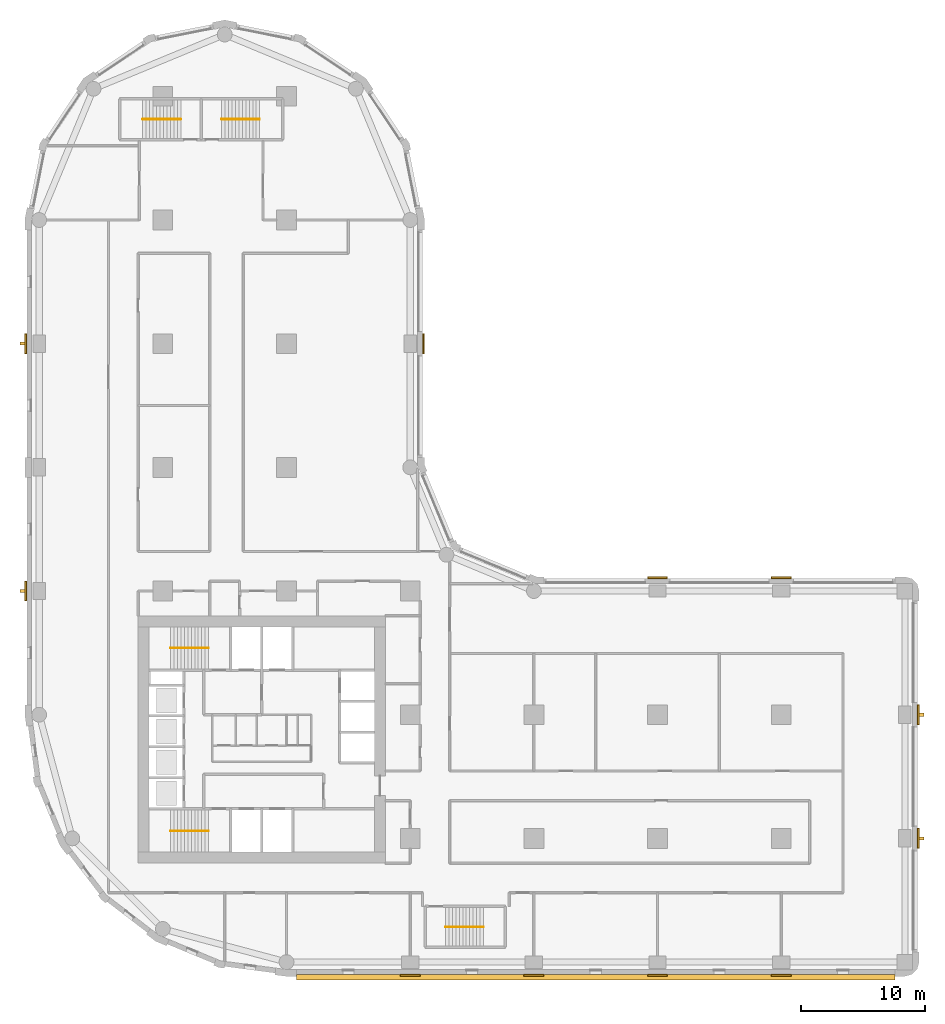
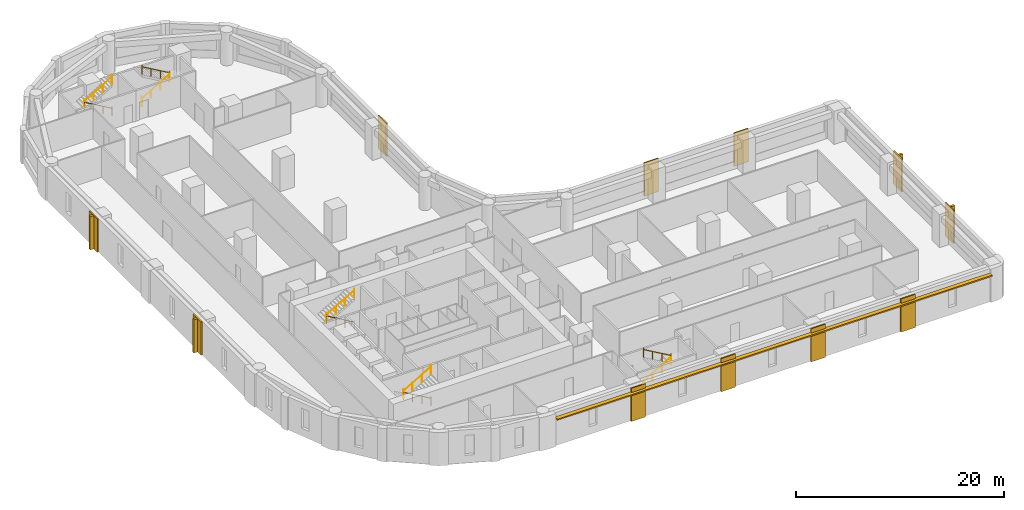
# One storey, part 10 of 11: 11 coverings, 10 railings, 5 shading devices.
"""IFC4 building model written with IfcOpenShell, lengths in metres."""

from ifc_helpers import new_model, si_unit, direction, frame, origin, origin_2d, place, context, subcontext, project, spatial, polyline, rectangle, circle, outline, extrude, material, layer, layer_set, type_object, element, save


model = new_model("IFC4")

# Units and contexts
model_context = context("Model", 3, precision=1e-05, world=origin(), true_north=direction((0.0, 1.0)))
body_context = subcontext(model_context, "Body", "Model", "MODEL_VIEW")
ifc_project = project(units=[si_unit("LENGTHUNIT", "METRE"), si_unit("AREAUNIT", "SQUARE_METRE"), si_unit("VOLUMEUNIT", "CUBIC_METRE"), si_unit("PLANEANGLEUNIT", "RADIAN"), si_unit("MASSUNIT", "GRAM", prefix="KILO")], contexts=[model_context])

# Site, building, storey
site_placement = place(None, origin())
site = spatial("IfcSite", under=ifc_project, at=site_placement, CompositionType="ELEMENT")
building_placement = place(site_placement, origin())
building = spatial("IfcBuilding", under=site, at=building_placement, Name="Qaws Garden Tower", CompositionType="ELEMENT")
storey_placement = place(building_placement, frame((0.0, 0.0, 82.199951171875)))
storey = spatial("IfcBuildingStorey", under=building, at=storey_placement, Name="L20", CompositionType="ELEMENT", Elevation=82.199951171875)

# Shading devices
ifc_material_1 = material(Name="Clay facing brick masonry", Category="masonry")
ifc_layer_1 = layer(ifc_material_1, 0.14990234375)
ifc_layer_set_1 = layer_set([ifc_layer_1], Name="Clay facing brick masonry")
shading_device_type_1 = type_object("IfcShadingDeviceType", Name="Brick sunshade band 450 x 150", PredefinedType="JALOUSIE", material=ifc_layer_set_1)
shading_device_placement = place(storey_placement, frame((0.0, 0.0, 3.25)))
element("IfcShadingDevice", 1, at=shading_device_placement, inside=storey, type_object=shading_device_type_1, Name="SUNSHADE 00", PredefinedType="JALOUSIE", context=body_context, shape_type="SweptSolid", body=[
    extrude(outline(polyline([(20.800048828125, -1.0), (20.800048828125, -1.449951171875), (69.199951171875, -1.449951171875), (69.199951171875, -1.0), (60.800048828125, -1.0), (60.800048828125, -1.14990234375), (59.199951171875, -1.14990234375), (59.199951171875, -1.0), (50.800048828125, -1.0), (50.800048828125, -1.14990234375), (49.199951171875, -1.14990234375), (49.199951171875, -1.0), (40.800048828125, -1.0), (40.800048828125, -1.14990234375), (39.199951171875, -1.14990234375), (39.199951171875, -1.0), (30.800048828125, -1.0), (30.800048828125, -1.14990234375), (29.199951171875, -1.14990234375), (29.199951171875, -1.0), (20.800048828125, -1.0)])), origin(), (0.0, 0.0, 1.0), 0.150146484375),
])
ifc_material_2 = material(Name="Clay facing brick masonry", Category="masonry")
ifc_layer_2 = layer(ifc_material_2, 0.25)
ifc_layer_set_2 = layer_set([ifc_layer_2], Name="Clay facing brick masonry")
shading_device_type_2 = type_object("IfcShadingDeviceType", Name="Brick-faced fin 250 x 400", PredefinedType="USERDEFINED", material=ifc_layer_set_2)
for number, where, z_axis, x_axis, name in (
    (2, (71.35009765625, 10.0, 0.0), (0.0, 0.0, 1.0), (0.0, 1.0, 0.0), "FIN 06"),
    (3, (71.35009765625, 20.0, 0.0), (0.0, 0.0, 1.0), (0.0, 1.0, 0.0), "FIN 07"),
    (4, (-1.35009765625, 50.0, 0.0), (0.0, 0.0, 1.0), (0.0, -1.0, 0.0), "FIN 24"),
    (5, (-1.35009765625, 30.0, 0.0), (0.0, 0.0, 1.0), (0.0, -1.0, 0.0), "FIN 26"),
):
    element("IfcShadingDevice", number, at=place(storey_placement, frame(where, z_axis=z_axis, x_axis=x_axis)), inside=storey, type_object=shading_device_type_2, Name=name, ObjectType="FIN", PredefinedType="USERDEFINED", context=body_context, shape_type="SweptSolid", body=[
        extrude(rectangle(XDim=0.25, YDim=0.39990234375, at=origin_2d()), origin(), (0.0, 0.0, 1.0), 3.89990234375),
    ])

# Coverings
ifc_material_3 = material(Name="Buff clay facing brick masonry", Category="masonry")
ifc_layer_3 = layer(ifc_material_3, 0.14990234375)
ifc_layer_set_3 = layer_set([ifc_layer_3], Name="Buff clay facing brick masonry")
covering_type = type_object("IfcCoveringType", Name="Buff brick pilaster facing 150 x 1600", PredefinedType="CLADDING", material=ifc_layer_set_3)
placement = place(storey_placement, origin())
element("IfcCovering", 6, at=placement, inside=storey, type_object=covering_type, Name="E-L20-pier-01", PredefinedType="CLADDING", context=body_context, shape_type="SweptSolid", body=[
    extrude(outline(polyline([(29.199951171875, -1.0), (30.800048828125, -1.0), (30.800048828125, -1.14990234375), (29.199951171875, -1.14990234375), (29.199951171875, -1.0)])), origin(), (0.0, 0.0, 1.0), 3.900146484375),
])
element("IfcCovering", 7, at=placement, inside=storey, type_object=covering_type, Name="E-L20-pier-02", PredefinedType="CLADDING", context=body_context, shape_type="SweptSolid", body=[
    extrude(outline(polyline([(39.199951171875, -1.0), (40.800048828125, -1.0), (40.800048828125, -1.14990234375), (39.199951171875, -1.14990234375), (39.199951171875, -1.0)])), origin(), (0.0, 0.0, 1.0), 3.900146484375),
])
element("IfcCovering", 8, at=placement, inside=storey, type_object=covering_type, Name="E-L20-pier-03", PredefinedType="CLADDING", context=body_context, shape_type="SweptSolid", body=[
    extrude(outline(polyline([(49.199951171875, -1.0), (50.800048828125, -1.0), (50.800048828125, -1.14990234375), (49.199951171875, -1.14990234375), (49.199951171875, -1.0)])), origin(), (0.0, 0.0, 1.0), 3.900146484375),
])
element("IfcCovering", 9, at=placement, inside=storey, type_object=covering_type, Name="E-L20-pier-04", PredefinedType="CLADDING", context=body_context, shape_type="SweptSolid", body=[
    extrude(outline(polyline([(59.199951171875, -1.0), (60.800048828125, -1.0), (60.800048828125, -1.14990234375), (59.199951171875, -1.14990234375), (59.199951171875, -1.0)])), origin(), (0.0, 0.0, 1.0), 3.900146484375),
])
element("IfcCovering", 10, at=placement, inside=storey, type_object=covering_type, Name="E-L20-pier-06", PredefinedType="CLADDING", context=body_context, shape_type="SweptSolid", body=[
    extrude(outline(polyline([(71.0, 9.199951171875), (71.0, 10.800048828125), (71.14990234375, 10.800048828125), (71.14990234375, 9.199951171875), (71.0, 9.199951171875)])), origin(), (0.0, 0.0, 1.0), 3.900146484375),
])
element("IfcCovering", 11, at=placement, inside=storey, type_object=covering_type, Name="E-L20-pier-07", PredefinedType="CLADDING", context=body_context, shape_type="SweptSolid", body=[
    extrude(outline(polyline([(71.0, 19.199951171875), (71.0, 20.800048828125), (71.14990234375, 20.800048828125), (71.14990234375, 19.199951171875), (71.0, 19.199951171875)])), origin(), (0.0, 0.0, 1.0), 3.900146484375),
])
element("IfcCovering", 12, at=placement, inside=storey, type_object=covering_type, Name="E-L20-pier-09", PredefinedType="CLADDING", context=body_context, shape_type="SweptSolid", body=[
    extrude(outline(polyline([(60.800048828125, 31.0), (59.199951171875, 31.0), (59.199951171875, 31.14990234375), (60.800048828125, 31.14990234375), (60.800048828125, 31.0)])), origin(), (0.0, 0.0, 1.0), 3.900146484375),
])
element("IfcCovering", 13, at=placement, inside=storey, type_object=covering_type, Name="E-L20-pier-10", PredefinedType="CLADDING", context=body_context, shape_type="SweptSolid", body=[
    extrude(outline(polyline([(50.800048828125, 31.0), (49.199951171875, 31.0), (49.199951171875, 31.14990234375), (50.800048828125, 31.14990234375), (50.800048828125, 31.0)])), origin(), (0.0, 0.0, 1.0), 3.900146484375),
])
element("IfcCovering", 14, at=placement, inside=storey, type_object=covering_type, Name="E-L20-pier-14", PredefinedType="CLADDING", context=body_context, shape_type="SweptSolid", body=[
    extrude(outline(polyline([(31.0, 49.199951171875), (31.0, 50.800048828125), (31.14990234375, 50.800048828125), (31.14990234375, 49.199951171875), (31.0, 49.199951171875)])), origin(), (0.0, 0.0, 1.0), 3.900146484375),
])
element("IfcCovering", 15, at=placement, inside=storey, type_object=covering_type, Name="E-L20-pier-24", PredefinedType="CLADDING", context=body_context, shape_type="SweptSolid", body=[
    extrude(outline(polyline([(-1.0, 50.800048828125), (-1.0, 49.199951171875), (-1.14990234375, 49.199951171875), (-1.14990234375, 50.800048828125), (-1.0, 50.800048828125)])), origin(), (0.0, 0.0, 1.0), 3.900146484375),
])
element("IfcCovering", 16, at=placement, inside=storey, type_object=covering_type, Name="E-L20-pier-26", PredefinedType="CLADDING", context=body_context, shape_type="SweptSolid", body=[
    extrude(outline(polyline([(-1.0, 30.800048828125), (-1.0, 29.199951171875), (-1.14990234375, 29.199951171875), (-1.14990234375, 30.800048828125), (-1.0, 30.800048828125)])), origin(), (0.0, 0.0, 1.0), 3.900146484375),
])

# Railings
ifc_material_4 = material(Name="Steel S355", Category="steel")
railing_type = type_object("IfcRailingType", Name="Stair handrail 900", PredefinedType="HANDRAIL", material=ifc_material_4)
railing_1_placement = place(storey_placement, frame((13.699951171875, 10.60009765625, 0.16259765625)))
element("IfcRailing", 17, at=railing_1_placement, inside=storey, type_object=railing_type, Name="Stair 1 handrail", PredefinedType="HANDRAIL", context=body_context, shape_type="SweptSolid", body=[
    extrude(circle(Radius=0.02392578125, at=origin_2d()), frame((0.0, 0.0, 0.8759765625), z_axis=(-0.864903211148, 0.0, 0.501938676878), x_axis=(0.0, -1.0, 0.0)), (0.0, 0.0, 1.0), 3.560791015625),
    extrude(circle(Radius=0.02099609375, at=origin_2d()), origin(), (0.0, 0.0, 1.0), 1.06201171875),
    extrude(circle(Radius=0.02099609375, at=origin_2d()), frame((-1.026611328125, 0.0, 0.595703125)), (0.0, 0.0, 1.0), 0.851806640625),
    extrude(circle(Radius=0.02099609375, at=origin_2d()), frame((-2.05322265625, 0.0, 1.191650390625)), (0.0, 0.0, 1.0), 0.851806640625),
    extrude(circle(Radius=0.02099609375, at=origin_2d()), frame((-3.079833984375, 0.0, 1.787353515625)), (0.0, 0.0, 1.0), 1.06201171875),
])
railing_2_placement = place(storey_placement, frame((10.6201171875, 10.60009765625, 2.112548828125)))
element("IfcRailing", 18, at=railing_2_placement, inside=storey, type_object=railing_type, Name="Stair 1 handrail", PredefinedType="HANDRAIL", context=body_context, shape_type="SweptSolid", body=[
    extrude(circle(Radius=0.02392578125, at=origin_2d()), frame((0.0, 0.0, 0.8759765625), z_axis=(0.864873446163, 0.0, 0.501989962173), x_axis=(0.0, 1.0, 0.0)), (0.0, 0.0, 1.0), 3.56103515625),
    extrude(circle(Radius=0.02099609375, at=origin_2d()), origin(), (0.0, 0.0, 1.0), 1.06201171875),
    extrude(circle(Radius=0.02099609375, at=origin_2d()), frame((1.026611328125, 0.0, 0.595947265625)), (0.0, 0.0, 1.0), 0.851806640625),
    extrude(circle(Radius=0.02099609375, at=origin_2d()), frame((2.05322265625, 0.0, 1.191650390625)), (0.0, 0.0, 1.0), 0.851806640625),
    extrude(circle(Radius=0.02099609375, at=origin_2d()), frame((3.079833984375, 0.0, 1.78759765625)), (0.0, 0.0, 1.0), 1.06201171875),
])
railing_3_placement = place(storey_placement, frame((13.699951171875, 25.39990234375, 0.16259765625)))
element("IfcRailing", 19, at=railing_3_placement, inside=storey, type_object=railing_type, Name="Stair 4 handrail", PredefinedType="HANDRAIL", context=body_context, shape_type="SweptSolid", body=[
    extrude(circle(Radius=0.02392578125, at=origin_2d()), frame((0.0, 0.0, 0.8759765625), z_axis=(-0.864903211148, 0.0, 0.501938676878), x_axis=(0.0, -1.0, 0.0)), (0.0, 0.0, 1.0), 3.560791015625),
    extrude(circle(Radius=0.02099609375, at=origin_2d()), origin(), (0.0, 0.0, 1.0), 1.06201171875),
    extrude(circle(Radius=0.02099609375, at=origin_2d()), frame((-1.026611328125, 0.0, 0.595703125)), (0.0, 0.0, 1.0), 0.851806640625),
    extrude(circle(Radius=0.02099609375, at=origin_2d()), frame((-2.05322265625, 0.0, 1.191650390625)), (0.0, 0.0, 1.0), 0.851806640625),
    extrude(circle(Radius=0.02099609375, at=origin_2d()), frame((-3.079833984375, 0.0, 1.787353515625)), (0.0, 0.0, 1.0), 1.06201171875),
])
railing_4_placement = place(storey_placement, frame((10.6201171875, 25.39990234375, 2.112548828125)))
element("IfcRailing", 20, at=railing_4_placement, inside=storey, type_object=railing_type, Name="Stair 4 handrail", PredefinedType="HANDRAIL", context=body_context, shape_type="SweptSolid", body=[
    extrude(circle(Radius=0.02392578125, at=origin_2d()), frame((0.0, 0.0, 0.8759765625), z_axis=(0.864873446163, 0.0, 0.501989962173), x_axis=(0.0, 1.0, 0.0)), (0.0, 0.0, 1.0), 3.56103515625),
    extrude(circle(Radius=0.02099609375, at=origin_2d()), origin(), (0.0, 0.0, 1.0), 1.06201171875),
    extrude(circle(Radius=0.02099609375, at=origin_2d()), frame((1.026611328125, 0.0, 0.595947265625)), (0.0, 0.0, 1.0), 0.851806640625),
    extrude(circle(Radius=0.02099609375, at=origin_2d()), frame((2.05322265625, 0.0, 1.191650390625)), (0.0, 0.0, 1.0), 0.851806640625),
    extrude(circle(Radius=0.02099609375, at=origin_2d()), frame((3.079833984375, 0.0, 1.78759765625)), (0.0, 0.0, 1.0), 1.06201171875),
])
railing_5_placement = place(storey_placement, frame((32.85009765625, 2.85009765625, 0.16259765625)))
element("IfcRailing", 21, at=railing_5_placement, inside=storey, type_object=railing_type, Name="Stair 5 handrail", PredefinedType="HANDRAIL", context=body_context, shape_type="SweptSolid", body=[
    extrude(circle(Radius=0.02392578125, at=origin_2d()), frame((0.0, 0.0, 0.8759765625), z_axis=(0.864903211148, 0.0, 0.501938676878), x_axis=(0.0, 1.0, 0.0)), (0.0, 0.0, 1.0), 3.560791015625),
    extrude(circle(Radius=0.02099609375, at=origin_2d()), origin(), (0.0, 0.0, 1.0), 1.06201171875),
    extrude(circle(Radius=0.02099609375, at=origin_2d()), frame((1.026611328125, 0.0, 0.595703125)), (0.0, 0.0, 1.0), 0.851806640625),
    extrude(circle(Radius=0.02099609375, at=origin_2d()), frame((2.05322265625, 0.0, 1.191650390625)), (0.0, 0.0, 1.0), 0.851806640625),
    extrude(circle(Radius=0.02099609375, at=origin_2d()), frame((3.079833984375, 0.0, 1.787353515625)), (0.0, 0.0, 1.0), 1.06201171875),
])
railing_6_placement = place(storey_placement, frame((35.929931640625, 2.85009765625, 2.112548828125)))
element("IfcRailing", 22, at=railing_6_placement, inside=storey, type_object=railing_type, Name="Stair 5 handrail", PredefinedType="HANDRAIL", context=body_context, shape_type="SweptSolid", body=[
    extrude(circle(Radius=0.02392578125, at=origin_2d()), frame((0.0, 0.0, 0.8759765625), z_axis=(-0.864873446163, 0.0, 0.501989962173), x_axis=(0.0, -1.0, 0.0)), (0.0, 0.0, 1.0), 3.56103515625),
    extrude(circle(Radius=0.02099609375, at=origin_2d()), origin(), (0.0, 0.0, 1.0), 1.06201171875),
    extrude(circle(Radius=0.02099609375, at=origin_2d()), frame((-1.026611328125, 0.0, 0.595947265625)), (0.0, 0.0, 1.0), 0.851806640625),
    extrude(circle(Radius=0.02099609375, at=origin_2d()), frame((-2.05322265625, 0.0, 1.191650390625)), (0.0, 0.0, 1.0), 0.851806640625),
    extrude(circle(Radius=0.02099609375, at=origin_2d()), frame((-3.079833984375, 0.0, 1.78759765625)), (0.0, 0.0, 1.0), 1.06201171875),
])
railing_7_placement = place(storey_placement, frame((11.449951171875, 68.14990234375, 0.16259765625)))
element("IfcRailing", 23, at=railing_7_placement, inside=storey, type_object=railing_type, Name="Stair 6 handrail", PredefinedType="HANDRAIL", context=body_context, shape_type="SweptSolid", body=[
    extrude(circle(Radius=0.02392578125, at=origin_2d()), frame((0.0, 0.0, 0.8759765625), z_axis=(-0.864903211148, 0.0, 0.501938676878), x_axis=(0.0, -1.0, 0.0)), (0.0, 0.0, 1.0), 3.560791015625),
    extrude(circle(Radius=0.02099609375, at=origin_2d()), origin(), (0.0, 0.0, 1.0), 1.06201171875),
    extrude(circle(Radius=0.02099609375, at=origin_2d()), frame((-1.026611328125, 0.0, 0.595703125)), (0.0, 0.0, 1.0), 0.851806640625),
    extrude(circle(Radius=0.02099609375, at=origin_2d()), frame((-2.05322265625, 0.0, 1.191650390625)), (0.0, 0.0, 1.0), 0.851806640625),
    extrude(circle(Radius=0.02099609375, at=origin_2d()), frame((-3.079833984375, 0.0, 1.787353515625)), (0.0, 0.0, 1.0), 1.06201171875),
])
railing_8_placement = place(storey_placement, frame((8.3701171875, 68.14990234375, 2.112548828125)))
element("IfcRailing", 24, at=railing_8_placement, inside=storey, type_object=railing_type, Name="Stair 6 handrail", PredefinedType="HANDRAIL", context=body_context, shape_type="SweptSolid", body=[
    extrude(circle(Radius=0.02392578125, at=origin_2d()), frame((0.0, 0.0, 0.8759765625), z_axis=(0.864873446163, 0.0, 0.501989962173), x_axis=(0.0, 1.0, 0.0)), (0.0, 0.0, 1.0), 3.56103515625),
    extrude(circle(Radius=0.02099609375, at=origin_2d()), origin(), (0.0, 0.0, 1.0), 1.06201171875),
    extrude(circle(Radius=0.02099609375, at=origin_2d()), frame((1.026611328125, 0.0, 0.595947265625)), (0.0, 0.0, 1.0), 0.851806640625),
    extrude(circle(Radius=0.02099609375, at=origin_2d()), frame((2.05322265625, 0.0, 1.191650390625)), (0.0, 0.0, 1.0), 0.851806640625),
    extrude(circle(Radius=0.02099609375, at=origin_2d()), frame((3.079833984375, 0.0, 1.78759765625)), (0.0, 0.0, 1.0), 1.06201171875),
])
railing_9_placement = place(storey_placement, frame((14.75, 68.14990234375, 0.16259765625)))
element("IfcRailing", 25, at=railing_9_placement, inside=storey, type_object=railing_type, Name="Stair 7 handrail", PredefinedType="HANDRAIL", context=body_context, shape_type="SweptSolid", body=[
    extrude(circle(Radius=0.02392578125, at=origin_2d()), frame((0.0, 0.0, 0.8759765625), z_axis=(0.864920483161, 0.0, 0.501908913857), x_axis=(0.0, 1.0, 0.0)), (0.0, 0.0, 1.0), 3.56103515625),
    extrude(circle(Radius=0.02099609375, at=origin_2d()), origin(), (0.0, 0.0, 1.0), 1.06201171875),
    extrude(circle(Radius=0.02099609375, at=origin_2d()), frame((1.026611328125, 0.0, 0.595703125)), (0.0, 0.0, 1.0), 0.851806640625),
    extrude(circle(Radius=0.02099609375, at=origin_2d()), frame((2.053466796875, 0.0, 1.191650390625)), (0.0, 0.0, 1.0), 0.851806640625),
    extrude(circle(Radius=0.02099609375, at=origin_2d()), frame((3.080078125, 0.0, 1.787353515625)), (0.0, 0.0, 1.0), 1.06201171875),
])
railing_10_placement = place(storey_placement, frame((17.830078125, 68.14990234375, 2.112548828125)))
element("IfcRailing", 26, at=railing_10_placement, inside=storey, type_object=railing_type, Name="Stair 7 handrail", PredefinedType="HANDRAIL", context=body_context, shape_type="SweptSolid", body=[
    extrude(circle(Radius=0.02392578125, at=origin_2d()), frame((0.0, 0.0, 0.8759765625), z_axis=(-0.864890721111, 0.0, 0.501960198159), x_axis=(0.0, -1.0, 0.0)), (0.0, 0.0, 1.0), 3.561279296875),
    extrude(circle(Radius=0.02099609375, at=origin_2d()), origin(), (0.0, 0.0, 1.0), 1.06201171875),
    extrude(circle(Radius=0.02099609375, at=origin_2d()), frame((-1.026611328125, 0.0, 0.595947265625)), (0.0, 0.0, 1.0), 0.851806640625),
    extrude(circle(Radius=0.02099609375, at=origin_2d()), frame((-2.053466796875, 0.0, 1.191650390625)), (0.0, 0.0, 1.0), 0.851806640625),
    extrude(circle(Radius=0.02099609375, at=origin_2d()), frame((-3.080078125, 0.0, 1.78759765625)), (0.0, 0.0, 1.0), 1.06201171875),
])

save(model, "model.ifc")
